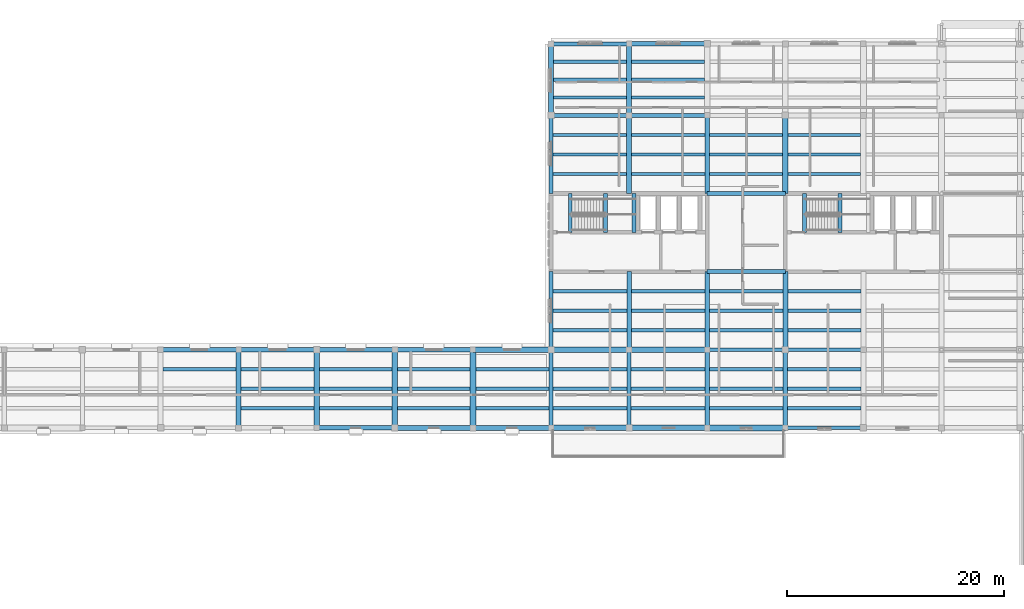
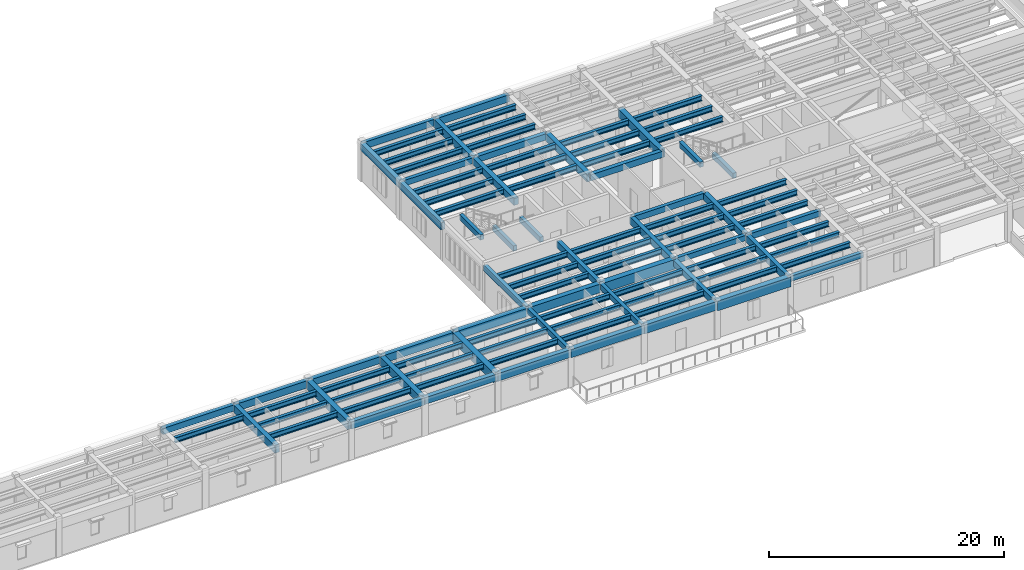
# One storey, part 2 of 22: 100 beams.
"""IFC4 building model written with IfcOpenShell, lengths in metres."""

import ifcopenshell
import ifcopenshell.guid

model = None  # the IFC model being written
_history = None  # IfcOwnerHistory: only IFC2X3 demands one
_inside = {}  # id of a spatial element -> (the spatial element, [elements in it])
_under = {}  # id of a project, library or spatial element -> (it, [spatial elements below it])
_declared = {}  # id of a project -> (the project, [libraries it declares])
_typed = {}  # id of a type object -> (the type object, [elements of that type])
_made_of = {}  # id of a material, layer set ... -> (it, [elements and type objects made of it])


def new_model(schema):
    """Start an empty IFC model of exactly this schema.

    Asked for "IFC4X3", IfcOpenShell would pick the latest addendum, in which some entities
    have other attributes; the version numbers below select the first issue.
    IFC2X3 requires an IfcOwnerHistory on every rooted entity: one is made here for all.
    """
    global model, _history
    if schema == "IFC4X3":
        model = ifcopenshell.file(schema_version=(4, 3, 0, 0))
    else:
        model = ifcopenshell.file(schema=schema)
    _inside.clear()
    _under.clear()
    _declared.clear()
    _typed.clear()
    _made_of.clear()
    _history = None
    if model.schema == "IFC2X3":
        org = make("IfcOrganization", Name="unknown")
        user = make(
            "IfcPersonAndOrganization",
            ThePerson=make("IfcPerson", FamilyName="unknown"),
            TheOrganization=org,
        )
        app = make(
            "IfcApplication",
            ApplicationDeveloper=org,
            Version="unknown",
            ApplicationFullName="unknown",
            ApplicationIdentifier="unknown",
        )
        _history = make(
            "IfcOwnerHistory",
            OwningUser=user,
            OwningApplication=app,
            ChangeAction="ADDED",
            CreationDate=0,
        )
    return model


def make(cls, **values):
    """One entity of the class cls with the attributes given. An attribute that is None is left unset."""
    return model.create_entity(
        cls, **{name: value for name, value in values.items() if value is not None}
    )


def rooted(cls, **values):
    """An entity with a GlobalId (a new one), such as an element, a storey or a relation."""
    return make(cls, GlobalId=ifcopenshell.guid.new(), OwnerHistory=_history, **values)


def si_unit(unit_type, name, prefix=None):
    """IfcSIUnit, for example si_unit("LENGTHUNIT", "METRE", prefix="MILLI")."""
    return make("IfcSIUnit", UnitType=unit_type, Prefix=prefix, Name=name)


def assignment(units):
    """IfcUnitAssignment: the units of a project."""
    return None if units is None else make("IfcUnitAssignment", Units=units)


def point(xyz):
    """IfcCartesianPoint."""
    return None if xyz is None else make("IfcCartesianPoint", Coordinates=xyz)


def direction(xyz):
    """IfcDirection."""
    return None if xyz is None else make("IfcDirection", DirectionRatios=xyz)


def frame(location, z_axis=None, x_axis=None):
    """IfcAxis2Placement3D, a coordinate frame: its origin and axes. An axis left out is left unset."""
    return make(
        "IfcAxis2Placement3D",
        Location=point(location),
        Axis=direction(z_axis),
        RefDirection=direction(x_axis),
    )


def frame_2d(location, x_axis=None):
    """IfcAxis2Placement2D, a coordinate frame in the plane: its origin and x axis."""
    return make(
        "IfcAxis2Placement2D", Location=point(location), RefDirection=direction(x_axis)
    )


def origin():
    """The frame at (0, 0, 0) with its axes left unset."""
    return frame((0.0, 0.0, 0.0))


def origin_2d():
    """The frame at (0, 0) in the plane with its x axis left unset."""
    return frame_2d((0.0, 0.0))


def place(relative_to, where):
    """IfcLocalPlacement: puts the frame where relative to a parent placement (None: the world)."""
    return make(
        "IfcLocalPlacement", PlacementRelTo=relative_to, RelativePlacement=where
    )


def context(
    kind, dimensions, precision=None, world=None, true_north=None, identifier=None
):
    """IfcGeometricRepresentationContext, for example the 3D "Model" context."""
    return make(
        "IfcGeometricRepresentationContext",
        ContextIdentifier=identifier,
        ContextType=kind,
        CoordinateSpaceDimension=dimensions,
        Precision=precision,
        WorldCoordinateSystem=world,
        TrueNorth=true_north,
    )


def subcontext(parent, identifier, kind, view, scale=None):
    """IfcGeometricRepresentationSubContext, for example "Body" below "Model"."""
    return make(
        "IfcGeometricRepresentationSubContext",
        ContextIdentifier=identifier,
        ContextType=kind,
        ParentContext=parent,
        TargetScale=scale,
        TargetView=view,
    )


def project(units=None, contexts=None):
    """IfcProject with its units and contexts."""
    return rooted(
        "IfcProject",
        Name="project",
        RepresentationContexts=contexts,
        UnitsInContext=assignment(units),
    )


def spatial(cls, under=None, at=None, **own):
    """A site, building, storey or space (cls), placed at a placement, below another one or the project."""
    s = rooted(cls, ObjectPlacement=at, **own)
    if under is not None:
        _under.setdefault(under.id(), (under, []))[1].append(s)
    return s


def profile(cls, at=None, kind="AREA", **sizes):
    """A parametric profile (cls). Its sizes go by their IFC names, for example OverallWidth=200.0."""
    return make(cls, ProfileType=kind, Position=at, **sizes)


def rectangle(**sizes):
    """IfcRectangleProfileDef."""
    return profile("IfcRectangleProfileDef", **sizes)


def i_section(**sizes):
    """IfcIShapeProfileDef."""
    return profile("IfcIShapeProfileDef", **sizes)


def extrude(swept, where, along, depth):
    """IfcExtrudedAreaSolid: the profile swept, set in the frame where, extruded along a direction by depth."""
    return make(
        "IfcExtrudedAreaSolid",
        SweptArea=swept,
        Position=where,
        ExtrudedDirection=direction(along),
        Depth=depth,
    )


def shape(context_of_items, identifier, shape_type, items):
    """IfcShapeRepresentation: the items that make up one representation, for example the "Body"."""
    return make(
        "IfcShapeRepresentation",
        ContextOfItems=context_of_items,
        RepresentationIdentifier=identifier,
        RepresentationType=shape_type,
        Items=items,
    )


def material(Name=None, Category=None):
    """IfcMaterial."""
    return make("IfcMaterial", Name=Name, Category=Category)


def material_profile(
    of_material, cross_section, Name=None, Category=None, Priority=None
):
    """IfcMaterialProfile: a cross section and its material."""
    return make(
        "IfcMaterialProfile",
        Name=Name,
        Material=of_material,
        Profile=cross_section,
        Priority=Priority,
        Category=Category,
    )


def profile_set(profiles, Name=None, composite=None):
    """IfcMaterialProfileSet."""
    return make(
        "IfcMaterialProfileSet",
        Name=Name,
        MaterialProfiles=profiles,
        CompositeProfile=composite,
    )


def made_of(thing, what):
    """Note that an element or type object is made of a material, layer set ...; save() writes the relation."""
    if what is not None:
        _made_of.setdefault(what.id(), (what, []))[1].append(thing)
    return thing


def type_object(cls, material=None, **own):
    """A type object (cls), such as IfcWallType, which elements share."""
    return made_of(rooted(cls, **own), material)


def element(
    cls,
    number,
    at=None,
    inside=None,
    cuts=None,
    type_object=None,
    material=None,
    context=None,
    identifier="Body",
    shape_type=None,
    held_by="IfcProductDefinitionShape",
    body=None,
    shapes=None,
    **own,
):
    """One element of the class cls, such as IfcWall. Its Tag is "e" and its number.

    at: its placement. inside: the storey or other place that contains it. cuts: it is an
    opening in that element (IfcRelVoidsElement). A single representation is given by context,
    identifier, shape_type and body (its items); several are given by shapes. held_by: the class
    of the entity that holds the representations. save() writes the other relations.
    """
    e = rooted(cls, Tag="e%d" % number, ObjectPlacement=at, **own)
    if body is not None:
        shapes = [shape(context, identifier, shape_type, body)]
    if shapes is not None:
        e.Representation = make(held_by, Representations=shapes)
    if inside is not None:
        _inside.setdefault(inside.id(), (inside, []))[1].append(e)
    if cuts is not None:
        rooted(
            "IfcRelVoidsElement", RelatingBuildingElement=cuts, RelatedOpeningElement=e
        )
    if type_object is not None:
        _typed.setdefault(type_object.id(), (type_object, []))[1].append(e)
    return made_of(e, material)


def aggregate(whole, parts):
    """IfcRelAggregates: a whole, such as a stair, and the parts it consists of."""
    return rooted("IfcRelAggregates", RelatingObject=whole, RelatedObjects=parts)


def save(model, path):
    """Write the relations noted so far, then the file.

    IfcRelAggregates (storeys below a building ...), IfcRelContainedInSpatialStructure (elements
    in a storey), IfcRelDefinesByType, IfcRelAssociatesMaterial and IfcRelDeclares: one each for
    every whole, place, type object, material and project.
    """
    for whole, parts in _under.values():
        aggregate(whole, parts)
    for where, things in _inside.values():
        rooted(
            "IfcRelContainedInSpatialStructure",
            RelatedElements=things,
            RelatingStructure=where,
        )
    for kind, things in _typed.values():
        rooted("IfcRelDefinesByType", RelatedObjects=things, RelatingType=kind)
    for what, things in _made_of.values():
        rooted("IfcRelAssociatesMaterial", RelatedObjects=things, RelatingMaterial=what)
    for by, libraries in _declared.values():
        rooted("IfcRelDeclares", RelatingContext=by, RelatedDefinitions=libraries)
    model.write(path)


model = new_model("IFC4")

# Units and contexts
model_context = context("Model", 3, precision=1e-05, world=origin(), true_north=direction((0.0, 1.0)))
body_context = subcontext(model_context, "Body", "Model", "MODEL_VIEW")
ifc_project = project(units=[si_unit("LENGTHUNIT", "METRE"), si_unit("AREAUNIT", "SQUARE_METRE"), si_unit("VOLUMEUNIT", "CUBIC_METRE"), si_unit("PLANEANGLEUNIT", "RADIAN"), si_unit("MASSUNIT", "GRAM", prefix="KILO")], contexts=[model_context])

# Site, building, storey
site_placement = place(None, origin())
site = spatial("IfcSite", under=ifc_project, at=site_placement, CompositionType="ELEMENT")
building_placement = place(site_placement, origin())
building = spatial("IfcBuilding", under=site, at=building_placement, Name="Mithqara Police Headquarters", CompositionType="ELEMENT")
storey_placement = place(building_placement, frame((0.0, 0.0, 22.199951171875)))
storey = spatial("IfcBuildingStorey", under=building, at=storey_placement, Name="L05", CompositionType="ELEMENT", Elevation=22.199951171875)

# Beams
ifc_material_1 = material(Name="Steel S355JR", Category="steel")
ifc_material_profile_1 = material_profile(ifc_material_1, i_section(OverallWidth=0.300048828125, OverallDepth=0.550048828125, WebThickness=0.014892578125, FlangeThickness=0.029052734375, FilletRadius=0.027099609375, at=origin_2d()), Name="HEB 550")
ifc_profile_set_1 = profile_set([ifc_material_profile_1], Name="Steel S355JR")
beam_type_1 = type_object("IfcBeamType", Name="BEAM HEB550", PredefinedType="BEAM", material=ifc_profile_set_1)
beam_1_placement = place(storey_placement, frame((72.824951171875, 84.0, 3.64501953125), z_axis=(1.0, 0.0, 0.0), x_axis=(0.0, 1.0, 0.0)))
element("IfcBeam", 1, at=beam_1_placement, inside=storey, type_object=beam_type_1, Name="L05 Composite Steel Joist 11-12/M.3", PredefinedType="BEAM", context=body_context, shape_type="SweptSolid", body=[
    extrude(i_section(OverallWidth=0.300048828125, OverallDepth=0.550048828125, WebThickness=0.014892578125, FlangeThickness=0.029052734375, FilletRadius=0.027099609375, at=origin_2d()), origin(), (0.0, 0.0, 1.0), 6.75),
])
for number, where, z_axis, x_axis, name in (
    (2, (80.02490234375, 80.39990234375, 3.64501953125), (1.0, 0.0, 0.0), (0.0, 1.0, 0.0), "L05 Composite Steel Joist 12-13/M.1"),
    (3, (80.02490234375, 82.199951171875, 3.64501953125), (1.0, 0.0, 0.0), (0.0, 1.0, 0.0), "L05 Composite Steel Joist 12-13/M.2"),
    (4, (80.02490234375, 84.0, 3.64501953125), (1.0, 0.0, 0.0), (0.0, 1.0, 0.0), "L05 Composite Steel Joist 12-13/M.3"),
):
    element("IfcBeam", number, at=place(storey_placement, frame(where, z_axis=z_axis, x_axis=x_axis)), inside=storey, type_object=beam_type_1, Name=name, PredefinedType="BEAM", context=body_context, shape_type="SweptSolid", body=[
        extrude(i_section(OverallWidth=0.300048828125, OverallDepth=0.550048828125, WebThickness=0.014892578125, FlangeThickness=0.029052734375, FilletRadius=0.027099609375, at=origin_2d()), origin(), (0.0, 0.0, 1.0), 6.72509765625),
    ])
for number, where, z_axis, x_axis, name in (
    (5, (87.25, 80.39990234375, 3.64501953125), (1.0, 0.0, 0.0), (0.0, 1.0, 0.0), "L05 Composite Steel Joist 13-14/M.1"),
    (6, (87.25, 82.199951171875, 3.64501953125), (1.0, 0.0, 0.0), (0.0, 1.0, 0.0), "L05 Composite Steel Joist 13-14/M.2"),
    (7, (87.25, 84.0, 3.64501953125), (1.0, 0.0, 0.0), (0.0, 1.0, 0.0), "L05 Composite Steel Joist 13-14/M.3"),
):
    element("IfcBeam", number, at=place(storey_placement, frame(where, z_axis=z_axis, x_axis=x_axis)), inside=storey, type_object=beam_type_1, Name=name, PredefinedType="BEAM", context=body_context, shape_type="SweptSolid", body=[
        extrude(i_section(OverallWidth=0.300048828125, OverallDepth=0.550048828125, WebThickness=0.014892578125, FlangeThickness=0.029052734375, FilletRadius=0.027099609375, at=origin_2d()), origin(), (0.0, 0.0, 1.0), 6.699951171875),
    ])
for number, where, z_axis, x_axis, name in (
    (8, (94.449951171875, 80.39990234375, 3.64501953125), (1.0, 0.0, 0.0), (0.0, 1.0, 0.0), "L05 Composite Steel Joist 14-15/M.1"),
    (9, (94.449951171875, 82.199951171875, 3.64501953125), (1.0, 0.0, 0.0), (0.0, 1.0, 0.0), "L05 Composite Steel Joist 14-15/M.2"),
    (10, (94.449951171875, 84.0, 3.64501953125), (1.0, 0.0, 0.0), (0.0, 1.0, 0.0), "L05 Composite Steel Joist 14-15/M.3"),
):
    element("IfcBeam", number, at=place(storey_placement, frame(where, z_axis=z_axis, x_axis=x_axis)), inside=storey, type_object=beam_type_1, Name=name, PredefinedType="BEAM", context=body_context, shape_type="SweptSolid", body=[
        extrude(i_section(OverallWidth=0.300048828125, OverallDepth=0.550048828125, WebThickness=0.014892578125, FlangeThickness=0.029052734375, FilletRadius=0.027099609375, at=origin_2d()), origin(), (0.0, 0.0, 1.0), 6.675048828125),
    ])
for number, where, z_axis, x_axis, name in (
    (11, (101.675048828125, 80.39990234375, 3.64501953125), (1.0, 0.0, 0.0), (0.0, 1.0, 0.0), "L05 Composite Steel Joist 15-16/M.1"),
    (12, (101.675048828125, 82.199951171875, 3.64501953125), (1.0, 0.0, 0.0), (0.0, 1.0, 0.0), "L05 Composite Steel Joist 15-16/M.2"),
    (13, (101.675048828125, 84.0, 3.64501953125), (1.0, 0.0, 0.0), (0.0, 1.0, 0.0), "L05 Composite Steel Joist 15-16/M.3"),
):
    element("IfcBeam", number, at=place(storey_placement, frame(where, z_axis=z_axis, x_axis=x_axis)), inside=storey, type_object=beam_type_1, Name=name, PredefinedType="BEAM", context=body_context, shape_type="SweptSolid", body=[
        extrude(i_section(OverallWidth=0.300048828125, OverallDepth=0.550048828125, WebThickness=0.014892578125, FlangeThickness=0.029052734375, FilletRadius=0.027099609375, at=origin_2d()), origin(), (0.0, 0.0, 1.0), 6.75),
    ])
for number, where, z_axis, x_axis, name in (
    (14, (108.77490234375, 80.39990234375, 3.64501953125), (1.0, 0.0, 0.0), (0.0, 1.0, 0.0), "L05 Composite Steel Joist 16-17/M.1"),
    (15, (108.77490234375, 82.199951171875, 3.64501953125), (1.0, 0.0, 0.0), (0.0, 1.0, 0.0), "L05 Composite Steel Joist 16-17/M.2"),
    (16, (108.77490234375, 84.0, 3.64501953125), (1.0, 0.0, 0.0), (0.0, 1.0, 0.0), "L05 Composite Steel Joist 16-17/M.3"),
):
    element("IfcBeam", number, at=place(storey_placement, frame(where, z_axis=z_axis, x_axis=x_axis)), inside=storey, type_object=beam_type_1, Name=name, PredefinedType="BEAM", context=body_context, shape_type="SweptSolid", body=[
        extrude(i_section(OverallWidth=0.300048828125, OverallDepth=0.550048828125, WebThickness=0.014892578125, FlangeThickness=0.029052734375, FilletRadius=0.027099609375, at=origin_2d()), origin(), (0.0, 0.0, 1.0), 6.85009765625),
    ])
for number, where, z_axis, x_axis, name in (
    (17, (108.77490234375, 87.60009765625, 3.64501953125), (1.0, 0.0, 0.0), (0.0, 1.0, 0.0), "L05 Composite Steel Joist 16-17/N.1"),
    (18, (108.77490234375, 89.39990234375, 3.64501953125), (1.0, 0.0, 0.0), (0.0, 1.0, 0.0), "L05 Composite Steel Joist 16-17/N.2"),
    (19, (108.77490234375, 91.199951171875, 3.64501953125), (1.0, 0.0, 0.0), (0.0, 1.0, 0.0), "L05 Composite Steel Joist 16-17/N.3"),
):
    element("IfcBeam", number, at=place(storey_placement, frame(where, z_axis=z_axis, x_axis=x_axis)), inside=storey, type_object=beam_type_1, Name=name, PredefinedType="BEAM", context=body_context, shape_type="SweptSolid", body=[
        extrude(i_section(OverallWidth=0.300048828125, OverallDepth=0.550048828125, WebThickness=0.014892578125, FlangeThickness=0.029052734375, FilletRadius=0.027099609375, at=origin_2d()), origin(), (0.0, 0.0, 1.0), 6.8251953125),
    ])
for number, where, z_axis, x_axis, name in (
    (20, (108.800048828125, 102.0, 3.64501953125), (1.0, 0.0, 0.0), (0.0, 1.0, 0.0), "L05 Composite Steel Joist 16-17/Q.1"),
    (21, (108.800048828125, 103.800048828125, 3.64501953125), (1.0, 0.0, 0.0), (0.0, 1.0, 0.0), "L05 Composite Steel Joist 16-17/Q.2"),
    (22, (108.800048828125, 105.60009765625, 3.64501953125), (1.0, 0.0, 0.0), (0.0, 1.0, 0.0), "L05 Composite Steel Joist 16-17/Q.3"),
):
    element("IfcBeam", number, at=place(storey_placement, frame(where, z_axis=z_axis, x_axis=x_axis)), inside=storey, type_object=beam_type_1, Name=name, PredefinedType="BEAM", context=body_context, shape_type="SweptSolid", body=[
        extrude(i_section(OverallWidth=0.300048828125, OverallDepth=0.550048828125, WebThickness=0.014892578125, FlangeThickness=0.029052734375, FilletRadius=0.027099609375, at=origin_2d()), origin(), (0.0, 0.0, 1.0), 6.77490234375),
    ])
for number, where, z_axis, x_axis, name in (
    (23, (108.824951171875, 109.050048828125, 3.64501953125), (1.0, 0.0, 0.0), (0.0, 1.0, 0.0), "L05 Composite Steel Joist 16-17/R.1"),
    (24, (108.824951171875, 110.699951171875, 3.64501953125), (1.0, 0.0, 0.0), (0.0, 1.0, 0.0), "L05 Composite Steel Joist 16-17/R.2"),
    (25, (108.824951171875, 112.35009765625, 3.64501953125), (1.0, 0.0, 0.0), (0.0, 1.0, 0.0), "L05 Composite Steel Joist 16-17/R.3"),
):
    element("IfcBeam", number, at=place(storey_placement, frame(where, z_axis=z_axis, x_axis=x_axis)), inside=storey, type_object=beam_type_1, Name=name, PredefinedType="BEAM", context=body_context, shape_type="SweptSolid", body=[
        extrude(i_section(OverallWidth=0.300048828125, OverallDepth=0.550048828125, WebThickness=0.014892578125, FlangeThickness=0.029052734375, FilletRadius=0.027099609375, at=origin_2d()), origin(), (0.0, 0.0, 1.0), 6.75),
    ])
for number, where, z_axis, x_axis, name in (
    (26, (115.97509765625, 80.39990234375, 3.64501953125), (1.0, 0.0, 0.0), (0.0, 1.0, 0.0), "L05 Composite Steel Joist 17-18/M.1"),
    (27, (115.97509765625, 82.199951171875, 3.64501953125), (1.0, 0.0, 0.0), (0.0, 1.0, 0.0), "L05 Composite Steel Joist 17-18/M.2"),
    (28, (115.97509765625, 84.0, 3.64501953125), (1.0, 0.0, 0.0), (0.0, 1.0, 0.0), "L05 Composite Steel Joist 17-18/M.3"),
):
    element("IfcBeam", number, at=place(storey_placement, frame(where, z_axis=z_axis, x_axis=x_axis)), inside=storey, type_object=beam_type_1, Name=name, PredefinedType="BEAM", context=body_context, shape_type="SweptSolid", body=[
        extrude(i_section(OverallWidth=0.300048828125, OverallDepth=0.550048828125, WebThickness=0.014892578125, FlangeThickness=0.029052734375, FilletRadius=0.027099609375, at=origin_2d()), origin(), (0.0, 0.0, 1.0), 6.824951171875),
    ])
for number, where, z_axis, x_axis, name in (
    (29, (116.0, 87.60009765625, 3.64501953125), (1.0, 0.0, 0.0), (0.0, 1.0, 0.0), "L05 Composite Steel Joist 17-18/N.1"),
    (30, (116.0, 89.39990234375, 3.64501953125), (1.0, 0.0, 0.0), (0.0, 1.0, 0.0), "L05 Composite Steel Joist 17-18/N.2"),
    (31, (116.0, 91.199951171875, 3.64501953125), (1.0, 0.0, 0.0), (0.0, 1.0, 0.0), "L05 Composite Steel Joist 17-18/N.3"),
):
    element("IfcBeam", number, at=place(storey_placement, frame(where, z_axis=z_axis, x_axis=x_axis)), inside=storey, type_object=beam_type_1, Name=name, PredefinedType="BEAM", context=body_context, shape_type="SweptSolid", body=[
        extrude(i_section(OverallWidth=0.300048828125, OverallDepth=0.550048828125, WebThickness=0.014892578125, FlangeThickness=0.029052734375, FilletRadius=0.027099609375, at=origin_2d()), origin(), (0.0, 0.0, 1.0), 6.800048828125),
    ])
for number, where, z_axis, x_axis, name in (
    (32, (116.02490234375, 102.0, 3.64501953125), (1.0, 0.0, 0.0), (0.0, 1.0, 0.0), "L05 Composite Steel Joist 17-18/Q.1"),
    (33, (116.02490234375, 103.800048828125, 3.64501953125), (1.0, 0.0, 0.0), (0.0, 1.0, 0.0), "L05 Composite Steel Joist 17-18/Q.2"),
    (34, (116.02490234375, 105.60009765625, 3.64501953125), (1.0, 0.0, 0.0), (0.0, 1.0, 0.0), "L05 Composite Steel Joist 17-18/Q.3"),
):
    element("IfcBeam", number, at=place(storey_placement, frame(where, z_axis=z_axis, x_axis=x_axis)), inside=storey, type_object=beam_type_1, Name=name, PredefinedType="BEAM", context=body_context, shape_type="SweptSolid", body=[
        extrude(i_section(OverallWidth=0.300048828125, OverallDepth=0.550048828125, WebThickness=0.014892578125, FlangeThickness=0.029052734375, FilletRadius=0.027099609375, at=origin_2d()), origin(), (0.0, 0.0, 1.0), 6.75),
    ])
for number, where, z_axis, x_axis, name in (
    (35, (116.02490234375, 109.050048828125, 3.64501953125), (1.0, 0.0, 0.0), (0.0, 1.0, 0.0), "L05 Composite Steel Joist 17-18/R.1"),
    (36, (116.02490234375, 110.699951171875, 3.64501953125), (1.0, 0.0, 0.0), (0.0, 1.0, 0.0), "L05 Composite Steel Joist 17-18/R.2"),
    (37, (116.02490234375, 112.35009765625, 3.64501953125), (1.0, 0.0, 0.0), (0.0, 1.0, 0.0), "L05 Composite Steel Joist 17-18/R.3"),
):
    element("IfcBeam", number, at=place(storey_placement, frame(where, z_axis=z_axis, x_axis=x_axis)), inside=storey, type_object=beam_type_1, Name=name, PredefinedType="BEAM", context=body_context, shape_type="SweptSolid", body=[
        extrude(i_section(OverallWidth=0.300048828125, OverallDepth=0.550048828125, WebThickness=0.014892578125, FlangeThickness=0.029052734375, FilletRadius=0.027099609375, at=origin_2d()), origin(), (0.0, 0.0, 1.0), 6.72509765625),
    ])
for number, where, z_axis, x_axis, name in (
    (38, (123.199951171875, 80.39990234375, 3.64501953125), (1.0, 0.0, 0.0), (0.0, 1.0, 0.0), "L05 Composite Steel Joist 18-19/M.1"),
    (39, (123.199951171875, 82.199951171875, 3.64501953125), (1.0, 0.0, 0.0), (0.0, 1.0, 0.0), "L05 Composite Steel Joist 18-19/M.2"),
    (40, (123.199951171875, 84.0, 3.64501953125), (1.0, 0.0, 0.0), (0.0, 1.0, 0.0), "L05 Composite Steel Joist 18-19/M.3"),
):
    element("IfcBeam", number, at=place(storey_placement, frame(where, z_axis=z_axis, x_axis=x_axis)), inside=storey, type_object=beam_type_1, Name=name, PredefinedType="BEAM", context=body_context, shape_type="SweptSolid", body=[
        extrude(i_section(OverallWidth=0.300048828125, OverallDepth=0.550048828125, WebThickness=0.014892578125, FlangeThickness=0.029052734375, FilletRadius=0.027099609375, at=origin_2d()), origin(), (0.0, 0.0, 1.0), 6.800048828125),
    ])
for number, where, z_axis, x_axis, name in (
    (41, (123.199951171875, 87.60009765625, 3.64501953125), (1.0, 0.0, 0.0), (0.0, 1.0, 0.0), "L05 Composite Steel Joist 18-19/N.1"),
    (42, (123.199951171875, 89.39990234375, 3.64501953125), (1.0, 0.0, 0.0), (0.0, 1.0, 0.0), "L05 Composite Steel Joist 18-19/N.2"),
    (43, (123.199951171875, 91.199951171875, 3.64501953125), (1.0, 0.0, 0.0), (0.0, 1.0, 0.0), "L05 Composite Steel Joist 18-19/N.3"),
):
    element("IfcBeam", number, at=place(storey_placement, frame(where, z_axis=z_axis, x_axis=x_axis)), inside=storey, type_object=beam_type_1, Name=name, PredefinedType="BEAM", context=body_context, shape_type="SweptSolid", body=[
        extrude(i_section(OverallWidth=0.300048828125, OverallDepth=0.550048828125, WebThickness=0.014892578125, FlangeThickness=0.029052734375, FilletRadius=0.027099609375, at=origin_2d()), origin(), (0.0, 0.0, 1.0), 6.775146484375),
    ])
for number, where, z_axis, x_axis, name in (
    (44, (123.22509765625, 102.0, 3.64501953125), (1.0, 0.0, 0.0), (0.0, 1.0, 0.0), "L05 Composite Steel Joist 18-19/Q.1"),
    (45, (123.22509765625, 103.800048828125, 3.64501953125), (1.0, 0.0, 0.0), (0.0, 1.0, 0.0), "L05 Composite Steel Joist 18-19/Q.2"),
    (46, (123.22509765625, 105.60009765625, 3.64501953125), (1.0, 0.0, 0.0), (0.0, 1.0, 0.0), "L05 Composite Steel Joist 18-19/Q.3"),
):
    element("IfcBeam", number, at=place(storey_placement, frame(where, z_axis=z_axis, x_axis=x_axis)), inside=storey, type_object=beam_type_1, Name=name, PredefinedType="BEAM", context=body_context, shape_type="SweptSolid", body=[
        extrude(i_section(OverallWidth=0.300048828125, OverallDepth=0.550048828125, WebThickness=0.014892578125, FlangeThickness=0.029052734375, FilletRadius=0.027099609375, at=origin_2d()), origin(), (0.0, 0.0, 1.0), 6.724853515625),
    ])
for number, where, z_axis, x_axis, name in (
    (47, (130.39990234375, 80.39990234375, 3.64501953125), (1.0, 0.0, 0.0), (0.0, 1.0, 0.0), "L05 Composite Steel Joist 19-20/M.1"),
    (48, (130.39990234375, 82.199951171875, 3.64501953125), (1.0, 0.0, 0.0), (0.0, 1.0, 0.0), "L05 Composite Steel Joist 19-20/M.2"),
    (49, (130.39990234375, 84.0, 3.64501953125), (1.0, 0.0, 0.0), (0.0, 1.0, 0.0), "L05 Composite Steel Joist 19-20/M.3"),
):
    element("IfcBeam", number, at=place(storey_placement, frame(where, z_axis=z_axis, x_axis=x_axis)), inside=storey, type_object=beam_type_1, Name=name, PredefinedType="BEAM", context=body_context, shape_type="SweptSolid", body=[
        extrude(i_section(OverallWidth=0.300048828125, OverallDepth=0.550048828125, WebThickness=0.014892578125, FlangeThickness=0.029052734375, FilletRadius=0.027099609375, at=origin_2d()), origin(), (0.0, 0.0, 1.0), 6.775146484375),
    ])
for number, where, z_axis, x_axis, name in (
    (50, (130.425048828125, 87.60009765625, 3.64501953125), (1.0, 0.0, 0.0), (0.0, 1.0, 0.0), "L05 Composite Steel Joist 19-20/N.1"),
    (51, (130.425048828125, 89.39990234375, 3.64501953125), (1.0, 0.0, 0.0), (0.0, 1.0, 0.0), "L05 Composite Steel Joist 19-20/N.2"),
    (52, (130.425048828125, 91.199951171875, 3.64501953125), (1.0, 0.0, 0.0), (0.0, 1.0, 0.0), "L05 Composite Steel Joist 19-20/N.3"),
):
    element("IfcBeam", number, at=place(storey_placement, frame(where, z_axis=z_axis, x_axis=x_axis)), inside=storey, type_object=beam_type_1, Name=name, PredefinedType="BEAM", context=body_context, shape_type="SweptSolid", body=[
        extrude(i_section(OverallWidth=0.300048828125, OverallDepth=0.550048828125, WebThickness=0.014892578125, FlangeThickness=0.029052734375, FilletRadius=0.027099609375, at=origin_2d()), origin(), (0.0, 0.0, 1.0), 6.75),
    ])
for number, where, z_axis, x_axis, name in (
    (53, (130.449951171875, 102.0, 3.64501953125), (1.0, 0.0, 0.0), (0.0, 1.0, 0.0), "L05 Composite Steel Joist 19-20/Q.1"),
    (54, (130.449951171875, 103.800048828125, 3.64501953125), (1.0, 0.0, 0.0), (0.0, 1.0, 0.0), "L05 Composite Steel Joist 19-20/Q.2"),
    (55, (130.449951171875, 105.60009765625, 3.64501953125), (1.0, 0.0, 0.0), (0.0, 1.0, 0.0), "L05 Composite Steel Joist 19-20/Q.3"),
):
    element("IfcBeam", number, at=place(storey_placement, frame(where, z_axis=z_axis, x_axis=x_axis)), inside=storey, type_object=beam_type_1, Name=name, PredefinedType="BEAM", context=body_context, shape_type="SweptSolid", body=[
        extrude(i_section(OverallWidth=0.300048828125, OverallDepth=0.550048828125, WebThickness=0.014892578125, FlangeThickness=0.029052734375, FilletRadius=0.027099609375, at=origin_2d()), origin(), (0.0, 0.0, 1.0), 6.699951171875),
    ])
ifc_material_2 = material(Name="Concrete C40/50", Category="concrete")
ifc_material_profile_2 = material_profile(ifc_material_2, rectangle(XDim=0.35009765625, YDim=0.550048828125, at=origin_2d()), Name="RC 350x550")
ifc_profile_set_2 = profile_set([ifc_material_profile_2], Name="Concrete C40/50")
beam_type_2 = type_object("IfcBeamType", Name="BEAM RC350X550", PredefinedType="BEAM", material=ifc_profile_set_2)
for number, where, z_axis, x_axis, name in (
    (56, (108.60009765625, 78.60009765625, 3.64501953125), (0.0, 1.0, 0.0), (-1.0, 0.0, 0.0), "L05 Girder 16/M-N"),
    (57, (123.0, 85.800048828125, 3.64501953125), (1.0, 0.0, 0.0), (0.0, 1.0, 0.0), "L05 Girder 18-19/N"),
    (58, (130.199951171875, 78.60009765625, 3.64501953125), (1.0, 0.0, 0.0), (0.0, 1.0, 0.0), "L05 Girder 19-20/M"),
):
    element("IfcBeam", number, at=place(storey_placement, frame(where, z_axis=z_axis, x_axis=x_axis)), inside=storey, type_object=beam_type_2, Name=name, PredefinedType="BEAM", context=body_context, shape_type="SweptSolid", body=[
        extrude(rectangle(XDim=0.35009765625, YDim=0.550048828125, at=origin_2d()), origin(), (0.0, 0.0, 1.0), 7.199951171875),
    ])
for number, where, z_axis, x_axis, name in (
    (59, (113.6298828125, 96.6201171875, 1.635009765625), (0.0, 1.0, 0.0), (-1.0, 0.0, 0.0), "L05 ST-01 Half-Landing Bearer LF"),
    (60, (116.25, 96.6201171875, 1.635009765625), (0.0, 1.0, 0.0), (-1.0, 0.0, 0.0), "L05 ST-01 Half-Landing Bearer LB"),
    (61, (110.376953125, 96.6201171875, 3.925048828125), (0.0, 1.0, 0.0), (-1.0, 0.0, 0.0), "L05 ST-01 Stairwell Trimmer Beam"),
    (62, (135.22998046875, 96.6201171875, 1.635009765625), (0.0, 1.0, 0.0), (-1.0, 0.0, 0.0), "L05 ST-02 Half-Landing Bearer LF"),
    (63, (131.97705078125, 96.6201171875, 3.925048828125), (0.0, 1.0, 0.0), (-1.0, 0.0, 0.0), "L05 ST-02 Stairwell Trimmer Beam"),
):
    element("IfcBeam", number, at=place(storey_placement, frame(where, z_axis=z_axis, x_axis=x_axis)), inside=storey, type_object=beam_type_2, Name=name, PredefinedType="BEAM", context=body_context, shape_type="SweptSolid", body=[
        extrude(rectangle(XDim=0.35009765625, YDim=0.550048828125, at=origin_2d()), origin(), (0.0, 0.0, 1.0), 3.579833984375),
    ])
ifc_material_profile_3 = material_profile(ifc_material_2, rectangle(XDim=0.35009765625, YDim=0.60009765625, at=origin_2d()), Name="RC 350x600")
ifc_profile_set_3 = profile_set([ifc_material_profile_3], Name="Concrete C40/50")
beam_type_3 = type_object("IfcBeamType", Name="BEAM RC350X600", PredefinedType="BEAM", material=ifc_profile_set_3)
for number, where, z_axis, x_axis, name in (
    (64, (108.60009765625, 85.800048828125, 3.6201171875), (0.0, 1.0, 0.0), (-1.0, 0.0, 0.0), "L05 Girder 16/N-P"),
    (65, (108.60009765625, 107.39990234375, 3.6201171875), (1.0, 0.0, 0.0), (0.0, 1.0, 0.0), "L05 Girder 16-17/R"),
    (66, (115.800048828125, 78.60009765625, 3.6201171875), (0.0, 1.0, 0.0), (-1.0, 0.0, 0.0), "L05 Girder 17/M-N"),
    (67, (123.0, 93.0, 3.6201171875), (1.0, 0.0, 0.0), (0.0, 1.0, 0.0), "L05 Girder 18-19/P"),
    (68, (130.199951171875, 85.800048828125, 3.6201171875), (1.0, 0.0, 0.0), (0.0, 1.0, 0.0), "L05 Girder 19-20/N"),
):
    element("IfcBeam", number, at=place(storey_placement, frame(where, z_axis=z_axis, x_axis=x_axis)), inside=storey, type_object=beam_type_3, Name=name, PredefinedType="BEAM", context=body_context, shape_type="SweptSolid", body=[
        extrude(rectangle(XDim=0.35009765625, YDim=0.60009765625, at=origin_2d()), origin(), (0.0, 0.0, 1.0), 7.199951171875),
    ])
ifc_material_profile_4 = material_profile(ifc_material_2, rectangle(XDim=0.39990234375, YDim=0.64990234375, at=origin_2d()), Name="RC 400x650")
ifc_profile_set_4 = profile_set([ifc_material_profile_4], Name="Concrete C40/50")
beam_type_4 = type_object("IfcBeamType", Name="BEAM RC400X650", PredefinedType="BEAM", material=ifc_profile_set_4)
for number, where, z_axis, x_axis, name in (
    (69, (72.60009765625, 85.800048828125, 3.594970703125), (1.0, 0.0, 0.0), (0.0, 1.0, 0.0), "L05 Girder 11-12/N"),
    (70, (115.800048828125, 85.800048828125, 3.594970703125), (0.0, 1.0, 0.0), (-1.0, 0.0, 0.0), "L05 Girder 17/N-P"),
    (71, (115.800048828125, 107.39990234375, 3.594970703125), (1.0, 0.0, 0.0), (0.0, 1.0, 0.0), "L05 Girder 17-18/R"),
    (72, (123.0, 78.60009765625, 3.594970703125), (0.0, 1.0, 0.0), (-1.0, 0.0, 0.0), "L05 Girder 18/M-N"),
    (73, (123.0, 100.199951171875, 3.594970703125), (1.0, 0.0, 0.0), (0.0, 1.0, 0.0), "L05 Girder 18-19/Q"),
):
    element("IfcBeam", number, at=place(storey_placement, frame(where, z_axis=z_axis, x_axis=x_axis)), inside=storey, type_object=beam_type_4, Name=name, PredefinedType="BEAM", context=body_context, shape_type="SweptSolid", body=[
        extrude(rectangle(XDim=0.39990234375, YDim=0.64990234375, at=origin_2d()), origin(), (0.0, 0.0, 1.0), 7.199951171875),
    ])
ifc_material_profile_5 = material_profile(ifc_material_2, rectangle(XDim=0.39990234375, YDim=0.75, at=origin_2d()), Name="RC 400x750")
ifc_profile_set_5 = profile_set([ifc_material_profile_5], Name="Concrete C40/50")
beam_type_5 = type_object("IfcBeamType", Name="BEAM RC400X750", PredefinedType="BEAM", material=ifc_profile_set_5)
for number, where, z_axis, x_axis, name in (
    (74, (79.800048828125, 85.800048828125, 3.545166015625), (1.0, 0.0, 0.0), (0.0, 1.0, 0.0), "L05 Girder 12-13/N"),
    (75, (87.0, 78.60009765625, 3.545166015625), (1.0, 0.0, 0.0), (0.0, 1.0, 0.0), "L05 Girder 13-14/M"),
    (76, (108.60009765625, 100.199951171875, 3.545166015625), (0.0, 1.0, 0.0), (-1.0, 0.0, 0.0), "L05 Girder 16/Q-R"),
    (77, (123.0, 85.800048828125, 3.545166015625), (0.0, 1.0, 0.0), (-1.0, 0.0, 0.0), "L05 Girder 18/N-P"),
    (78, (130.199951171875, 78.60009765625, 3.545166015625), (0.0, 1.0, 0.0), (-1.0, 0.0, 0.0), "L05 Girder 19/M-N"),
):
    element("IfcBeam", number, at=place(storey_placement, frame(where, z_axis=z_axis, x_axis=x_axis)), inside=storey, type_object=beam_type_5, Name=name, PredefinedType="BEAM", context=body_context, shape_type="SweptSolid", body=[
        extrude(rectangle(XDim=0.39990234375, YDim=0.75, at=origin_2d()), origin(), (0.0, 0.0, 1.0), 7.199951171875),
    ])
ifc_material_profile_6 = material_profile(ifc_material_2, rectangle(XDim=0.449951171875, YDim=0.699951171875, at=origin_2d()), Name="RC 450x700")
ifc_profile_set_6 = profile_set([ifc_material_profile_6], Name="Concrete C40/50")
beam_type_6 = type_object("IfcBeamType", Name="BEAM RC450X700", PredefinedType="BEAM", material=ifc_profile_set_6)
for number, where, z_axis, x_axis, name in (
    (79, (87.0, 85.800048828125, 3.570068359375), (1.0, 0.0, 0.0), (0.0, 1.0, 0.0), "L05 Girder 13-14/N"),
    (80, (94.199951171875, 78.60009765625, 3.570068359375), (1.0, 0.0, 0.0), (0.0, 1.0, 0.0), "L05 Girder 14-15/M"),
):
    element("IfcBeam", number, at=place(storey_placement, frame(where, z_axis=z_axis, x_axis=x_axis)), inside=storey, type_object=beam_type_6, Name=name, PredefinedType="BEAM", context=body_context, shape_type="SweptSolid", body=[
        extrude(rectangle(XDim=0.449951171875, YDim=0.699951171875, at=origin_2d()), origin(), (0.0, 0.0, 1.0), 7.199951171875),
    ])
beam_2_placement = place(storey_placement, frame((108.60009765625, 107.39990234375, 3.570068359375), z_axis=(0.0, 1.0, 0.0), x_axis=(-1.0, 0.0, 0.0)))
element("IfcBeam", 81, at=beam_2_placement, inside=storey, type_object=beam_type_6, Name="L05 Girder 16/R-S", PredefinedType="BEAM", context=body_context, shape_type="SweptSolid", body=[
    extrude(rectangle(XDim=0.449951171875, YDim=0.699951171875, at=origin_2d()), origin(), (0.0, 0.0, 1.0), 6.60009765625),
])
for number, where, z_axis, x_axis, name in (
    (82, (115.800048828125, 100.199951171875, 3.570068359375), (0.0, 1.0, 0.0), (-1.0, 0.0, 0.0), "L05 Girder 17/Q-R"),
    (83, (130.199951171875, 85.800048828125, 3.570068359375), (0.0, 1.0, 0.0), (-1.0, 0.0, 0.0), "L05 Girder 19/N-P"),
):
    element("IfcBeam", number, at=place(storey_placement, frame(where, z_axis=z_axis, x_axis=x_axis)), inside=storey, type_object=beam_type_6, Name=name, PredefinedType="BEAM", context=body_context, shape_type="SweptSolid", body=[
        extrude(rectangle(XDim=0.449951171875, YDim=0.699951171875, at=origin_2d()), origin(), (0.0, 0.0, 1.0), 7.199951171875),
    ])
ifc_material_profile_7 = material_profile(ifc_material_2, rectangle(XDim=0.449951171875, YDim=0.800048828125, at=origin_2d()), Name="RC 450x800")
ifc_profile_set_7 = profile_set([ifc_material_profile_7], Name="Concrete C40/50")
beam_type_7 = type_object("IfcBeamType", Name="BEAM RC450X800", PredefinedType="BEAM", material=ifc_profile_set_7)
for number, where, z_axis, x_axis, name in (
    (84, (79.800048828125, 78.60009765625, 3.52001953125), (0.0, 1.0, 0.0), (-1.0, 0.0, 0.0), "L05 Girder 12/M-N"),
    (85, (94.199951171875, 85.800048828125, 3.52001953125), (1.0, 0.0, 0.0), (0.0, 1.0, 0.0), "L05 Girder 14-15/N"),
):
    element("IfcBeam", number, at=place(storey_placement, frame(where, z_axis=z_axis, x_axis=x_axis)), inside=storey, type_object=beam_type_7, Name=name, PredefinedType="BEAM", context=body_context, shape_type="SweptSolid", body=[
        extrude(rectangle(XDim=0.449951171875, YDim=0.800048828125, at=origin_2d()), origin(), (0.0, 0.0, 1.0), 7.199951171875),
    ])
beam_3_placement = place(storey_placement, frame((101.39990234375, 78.60009765625, 3.52001953125), z_axis=(1.0, 0.0, 0.0), x_axis=(0.0, 1.0, 0.0)))
element("IfcBeam", 86, at=beam_3_placement, inside=storey, type_object=beam_type_7, Name="L05 Girder 15-16/M", PredefinedType="BEAM", context=body_context, shape_type="SweptSolid", body=[
    extrude(rectangle(XDim=0.449951171875, YDim=0.800048828125, at=origin_2d()), origin(), (0.0, 0.0, 1.0), 7.2001953125),
])
beam_4_placement = place(storey_placement, frame((115.800048828125, 107.39990234375, 3.52001953125), z_axis=(0.0, 1.0, 0.0), x_axis=(-1.0, 0.0, 0.0)))
element("IfcBeam", 87, at=beam_4_placement, inside=storey, type_object=beam_type_7, Name="L05 Girder 17/R-S", PredefinedType="BEAM", context=body_context, shape_type="SweptSolid", body=[
    extrude(rectangle(XDim=0.449951171875, YDim=0.800048828125, at=origin_2d()), origin(), (0.0, 0.0, 1.0), 6.60009765625),
])
beam_5_placement = place(storey_placement, frame((123.0, 100.199951171875, 3.52001953125), z_axis=(0.0, 1.0, 0.0), x_axis=(-1.0, 0.0, 0.0)))
element("IfcBeam", 88, at=beam_5_placement, inside=storey, type_object=beam_type_7, Name="L05 Girder 18/Q-R", PredefinedType="BEAM", context=body_context, shape_type="SweptSolid", body=[
    extrude(rectangle(XDim=0.449951171875, YDim=0.800048828125, at=origin_2d()), origin(), (0.0, 0.0, 1.0), 7.199951171875),
])
ifc_material_profile_8 = material_profile(ifc_material_2, rectangle(XDim=0.5, YDim=0.85009765625, at=origin_2d()), Name="RC 500x850")
ifc_profile_set_8 = profile_set([ifc_material_profile_8], Name="Concrete C40/50")
beam_type_8 = type_object("IfcBeamType", Name="BEAM RC500X850", PredefinedType="BEAM", material=ifc_profile_set_8)
beam_6_placement = place(storey_placement, frame((87.0, 78.60009765625, 3.4951171875), z_axis=(0.0, 1.0, 0.0), x_axis=(-1.0, 0.0, 0.0)))
element("IfcBeam", 89, at=beam_6_placement, inside=storey, type_object=beam_type_8, Name="L05 Girder 13/M-N", PredefinedType="BEAM", context=body_context, shape_type="SweptSolid", body=[
    extrude(rectangle(XDim=0.5, YDim=0.85009765625, at=origin_2d()), origin(), (0.0, 0.0, 1.0), 7.199951171875),
])
beam_7_placement = place(storey_placement, frame((101.39990234375, 85.800048828125, 3.4951171875), z_axis=(1.0, 0.0, 0.0), x_axis=(0.0, 1.0, 0.0)))
element("IfcBeam", 90, at=beam_7_placement, inside=storey, type_object=beam_type_8, Name="L05 Girder 15-16/N", PredefinedType="BEAM", context=body_context, shape_type="SweptSolid", body=[
    extrude(rectangle(XDim=0.5, YDim=0.85009765625, at=origin_2d()), origin(), (0.0, 0.0, 1.0), 7.2001953125),
])
for number, where, z_axis, x_axis, name in (
    (91, (108.60009765625, 78.60009765625, 3.4951171875), (1.0, 0.0, 0.0), (0.0, 1.0, 0.0), "L05 Girder 16-17/M"),
    (92, (130.199951171875, 100.199951171875, 3.4951171875), (0.0, 1.0, 0.0), (-1.0, 0.0, 0.0), "L05 Girder 19/Q-R"),
):
    element("IfcBeam", number, at=place(storey_placement, frame(where, z_axis=z_axis, x_axis=x_axis)), inside=storey, type_object=beam_type_8, Name=name, PredefinedType="BEAM", context=body_context, shape_type="SweptSolid", body=[
        extrude(rectangle(XDim=0.5, YDim=0.85009765625, at=origin_2d()), origin(), (0.0, 0.0, 1.0), 7.199951171875),
    ])
ifc_material_3 = material(Name="Concrete C50/60", Category="concrete")
ifc_material_profile_9 = material_profile(ifc_material_3, rectangle(XDim=0.5, YDim=0.89990234375, at=origin_2d()), Name="RC 500x900")
ifc_profile_set_9 = profile_set([ifc_material_profile_9], Name="Concrete C50/60")
beam_type_9 = type_object("IfcBeamType", Name="BEAM RC500X900", PredefinedType="BEAM", material=ifc_profile_set_9)
for number, where, z_axis, x_axis, name in (
    (93, (94.199951171875, 78.60009765625, 3.469970703125), (0.0, 1.0, 0.0), (-1.0, 0.0, 0.0), "L05 Girder 14/M-N"),
    (94, (108.60009765625, 85.800048828125, 3.469970703125), (1.0, 0.0, 0.0), (0.0, 1.0, 0.0), "L05 Girder 16-17/N"),
    (95, (115.800048828125, 78.60009765625, 3.469970703125), (1.0, 0.0, 0.0), (0.0, 1.0, 0.0), "L05 Girder 17-18/M"),
):
    element("IfcBeam", number, at=place(storey_placement, frame(where, z_axis=z_axis, x_axis=x_axis)), inside=storey, type_object=beam_type_9, Name=name, PredefinedType="BEAM", context=body_context, shape_type="SweptSolid", body=[
        extrude(rectangle(XDim=0.5, YDim=0.89990234375, at=origin_2d()), origin(), (0.0, 0.0, 1.0), 7.199951171875),
    ])
ifc_material_profile_10 = material_profile(ifc_material_3, rectangle(XDim=0.550048828125, YDim=1.0, at=origin_2d()), Name="RC 550x1000")
ifc_profile_set_10 = profile_set([ifc_material_profile_10], Name="Concrete C50/60")
beam_type_10 = type_object("IfcBeamType", Name="BEAM RC550X1000", PredefinedType="BEAM", material=ifc_profile_set_10)
for number, where, z_axis, x_axis, name in (
    (96, (101.39990234375, 78.60009765625, 3.420166015625), (0.0, 1.0, 0.0), (-1.0, 0.0, 0.0), "L05 Girder 15/M-N"),
    (97, (115.800048828125, 85.800048828125, 3.420166015625), (1.0, 0.0, 0.0), (0.0, 1.0, 0.0), "L05 Girder 17-18/N"),
    (98, (123.0, 78.60009765625, 3.420166015625), (1.0, 0.0, 0.0), (0.0, 1.0, 0.0), "L05 Girder 18-19/M"),
):
    element("IfcBeam", number, at=place(storey_placement, frame(where, z_axis=z_axis, x_axis=x_axis)), inside=storey, type_object=beam_type_10, Name=name, PredefinedType="BEAM", context=body_context, shape_type="SweptSolid", body=[
        extrude(rectangle(XDim=0.550048828125, YDim=1.0, at=origin_2d()), origin(), (0.0, 0.0, 1.0), 7.199951171875),
    ])
ifc_material_profile_11 = material_profile(ifc_material_2, rectangle(XDim=0.35009765625, YDim=0.699951171875, at=origin_2d()), Name="SPB 350x700")
ifc_profile_set_11 = profile_set([ifc_material_profile_11], Name="Concrete C40/50")
beam_type_11 = type_object("IfcBeamType", Name="SPANDREL 350X700", PredefinedType="SPANDREL", material=ifc_profile_set_11)
beam_8_placement = place(storey_placement, frame((108.60009765625, 114.0, 3.570068359375), z_axis=(1.0, 0.0, 0.0), x_axis=(0.0, 1.0, 0.0)))
element("IfcBeam", 99, at=beam_8_placement, inside=storey, type_object=beam_type_11, Name="L05 Girder 16-17/S", PredefinedType="SPANDREL", context=body_context, shape_type="SweptSolid", body=[
    extrude(rectangle(XDim=0.35009765625, YDim=0.699951171875, at=origin_2d()), origin(), (0.0, 0.0, 1.0), 7.199951171875),
])
ifc_material_profile_12 = material_profile(ifc_material_2, rectangle(XDim=0.39990234375, YDim=0.75, at=origin_2d()), Name="SPB 400x750")
ifc_profile_set_12 = profile_set([ifc_material_profile_12], Name="Concrete C40/50")
beam_type_12 = type_object("IfcBeamType", Name="SPANDREL 400X750", PredefinedType="SPANDREL", material=ifc_profile_set_12)
beam_9_placement = place(storey_placement, frame((115.800048828125, 114.0, 3.545166015625), z_axis=(1.0, 0.0, 0.0), x_axis=(0.0, 1.0, 0.0)))
element("IfcBeam", 100, at=beam_9_placement, inside=storey, type_object=beam_type_12, Name="L05 Girder 17-18/S", PredefinedType="SPANDREL", context=body_context, shape_type="SweptSolid", body=[
    extrude(rectangle(XDim=0.39990234375, YDim=0.75, at=origin_2d()), origin(), (0.0, 0.0, 1.0), 7.199951171875),
])

save(model, "model.ifc")
